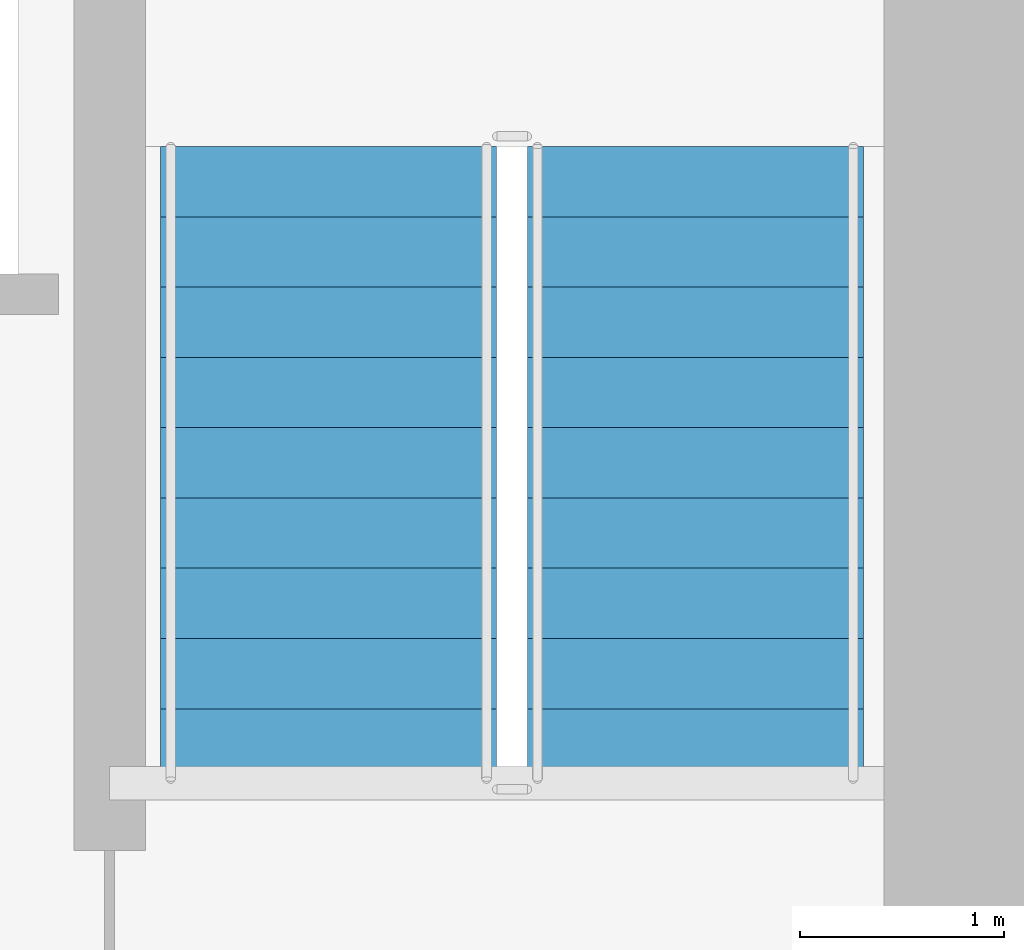
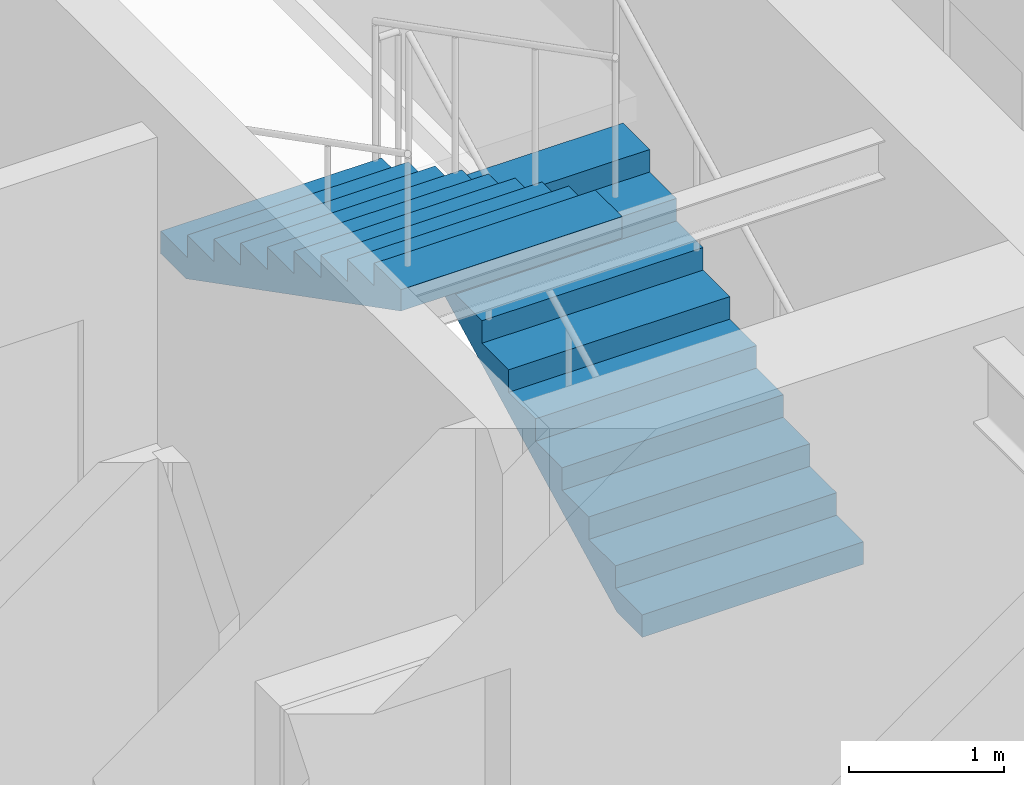
# One storey, part 26 of 31: 2 stair flights, 1 element without a shape of its own.
"""IFC4 building model written with IfcOpenShell, lengths in metres."""

from ifc_helpers import new_model, si_unit, direction, frame, origin, place, context, subcontext, project, spatial, polyline, outline, extrude, material, type_object, element, aggregate, save


model = new_model("IFC4")

# Units and contexts
model_context = context("Model", 3, precision=1e-05, world=origin(), true_north=direction((0.0, 1.0)))
body_context = subcontext(model_context, "Body", "Model", "MODEL_VIEW")
ifc_project = project(units=[si_unit("LENGTHUNIT", "METRE"), si_unit("AREAUNIT", "SQUARE_METRE"), si_unit("VOLUMEUNIT", "CUBIC_METRE"), si_unit("PLANEANGLEUNIT", "RADIAN"), si_unit("MASSUNIT", "GRAM", prefix="KILO")], contexts=[model_context])

# Site, building, storey
site_placement = place(None, origin())
site = spatial("IfcSite", under=ifc_project, at=site_placement, CompositionType="ELEMENT")
building_placement = place(site_placement, origin())
building = spatial("IfcBuilding", under=site, at=building_placement, Name="Tolvann Quenvar Hotel", CompositionType="ELEMENT")
storey_placement = place(building_placement, frame((0.0, 0.0, 125.75)))
storey = spatial("IfcBuildingStorey", under=building, at=storey_placement, Name="L32", CompositionType="ELEMENT", Elevation=125.75)

# Stair, stair flights
ifc_material = material(Name="Concrete N40 (40 MPa)", Category="concrete")
stair_type = type_object("IfcStairType", Name="STAIR", PredefinedType="HALF_TURN_STAIR", material=ifc_material)
stair_placement = place(storey_placement, origin())
stair = element("IfcStair", 1, at=stair_placement, inside=storey, type_object=stair_type, Name="L32 ST-C2", PredefinedType="HALF_TURN_STAIR")
stair_flight_type = type_object("IfcStairFlightType", Name="STAIR_FLIGHT", PredefinedType="STRAIGHT", material=ifc_material)
stair_flight_1_placement = place(storey_placement, frame((34.574951171875, 34.0, 0.0), z_axis=(0.0, 0.0, 1.0), x_axis=(0.0, 1.0, 0.0)))
stair_flight_1 = element("IfcStairFlight", 2, at=stair_flight_1_placement, type_object=stair_flight_type, Name="ST-C2 flight 1", NumberOfRisers=10, NumberOfTreads=9, PredefinedType="STRAIGHT", RiserHeight=0.1775, TreadLength=0.345, context=body_context, shape_type="SweptSolid", body=[
    extrude(outline(polyline([(0.0, 0.0), (0.0, 0.177490234375), (0.344970703125, 0.177490234375), (0.344970703125, 0.35498046875), (0.68994140625, 0.35498046875), (0.68994140625, 0.532470703125), (1.034912109375, 0.532470703125), (1.034912109375, 0.7099609375), (1.3798828125, 0.7099609375), (1.3798828125, 0.887451171875), (1.72509765625, 0.887451171875), (1.72509765625, 1.06494140625), (2.070068359375, 1.06494140625), (2.070068359375, 1.242431640625), (2.4150390625, 1.242431640625), (2.4150390625, 1.419921875), (2.760009765625, 1.419921875), (2.760009765625, 1.597412109375), (3.10498046875, 1.597412109375), (3.10498046875, 1.77490234375), (3.10498046875, 1.428955078125), (0.32763671875, 0.0), (0.0, 0.0)])), frame((0.0, 0.824951171875, 0.0), z_axis=(0.0, -1.0, 0.0), x_axis=(1.0, 0.0, 0.0)), (0.0, 0.0, 1.0), 1.64990234375),
])
stair_flight_2_placement = place(storey_placement, frame((32.77490234375, 37.10498046875, 1.77490234375), z_axis=(0.0, 0.0, 1.0), x_axis=(0.0, -1.0, 0.0)))
stair_flight_2 = element("IfcStairFlight", 3, at=stair_flight_2_placement, type_object=stair_flight_type, Name="ST-C2 flight 2", NumberOfRisers=10, NumberOfTreads=9, PredefinedType="STRAIGHT", RiserHeight=0.1775, TreadLength=0.345, context=body_context, shape_type="SweptSolid", body=[
    extrude(outline(polyline([(0.0, 0.0), (0.0, 0.177490234375), (0.344970703125, 0.177490234375), (0.344970703125, 0.35498046875), (0.68994140625, 0.35498046875), (0.68994140625, 0.532470703125), (1.034912109375, 0.532470703125), (1.034912109375, 0.7099609375), (1.3798828125, 0.7099609375), (1.3798828125, 0.887451171875), (1.72509765625, 0.887451171875), (1.72509765625, 1.06494140625), (2.070068359375, 1.06494140625), (2.070068359375, 1.242431640625), (2.4150390625, 1.242431640625), (2.4150390625, 1.419921875), (2.760009765625, 1.419921875), (2.760009765625, 1.597412109375), (3.10498046875, 1.597412109375), (3.10498046875, 1.77490234375), (3.10498046875, 1.428955078125), (0.32763671875, 0.0), (0.0, 0.0)])), frame((0.0, 0.824951171875, 0.0), z_axis=(0.0, -1.0, 0.0), x_axis=(1.0, 0.0, 0.0)), (0.0, 0.0, 1.0), 1.64990234375),
])
aggregate(stair, [stair_flight_1, stair_flight_2])

save(model, "model.ifc")
